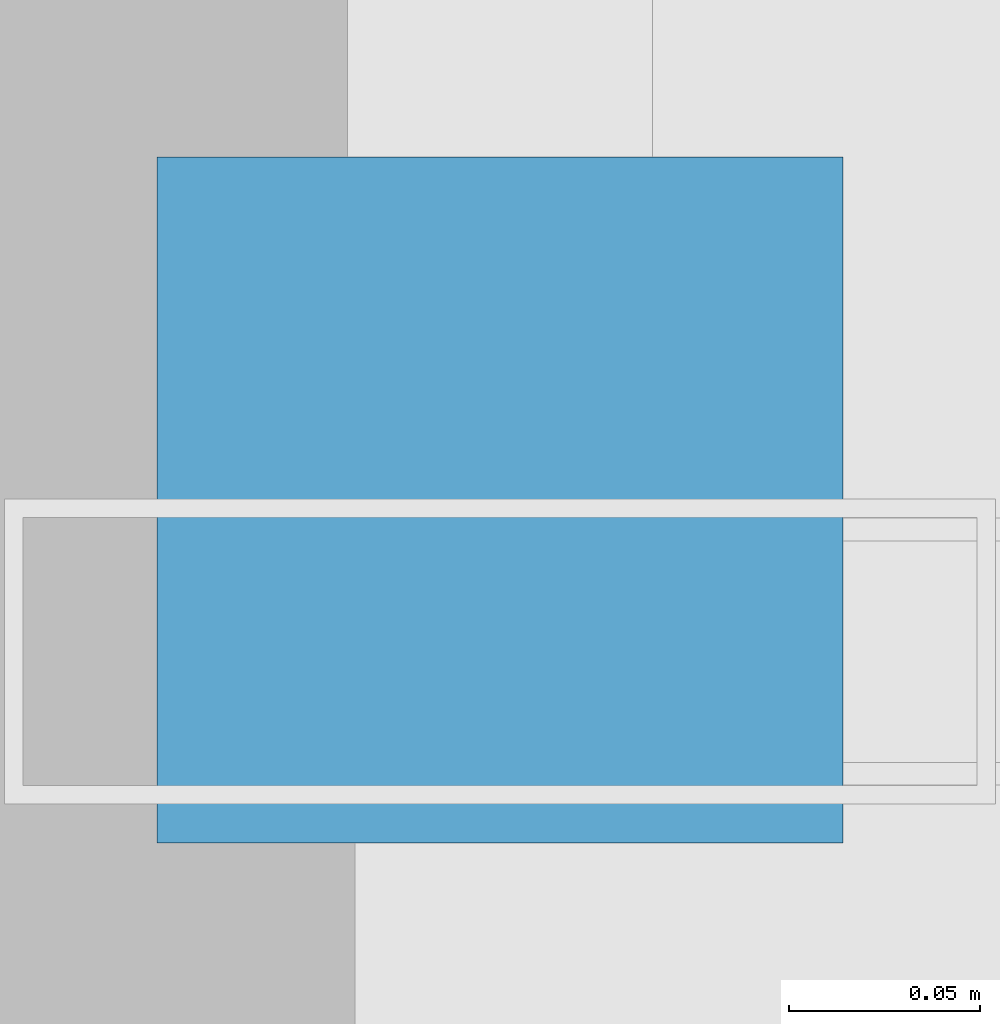
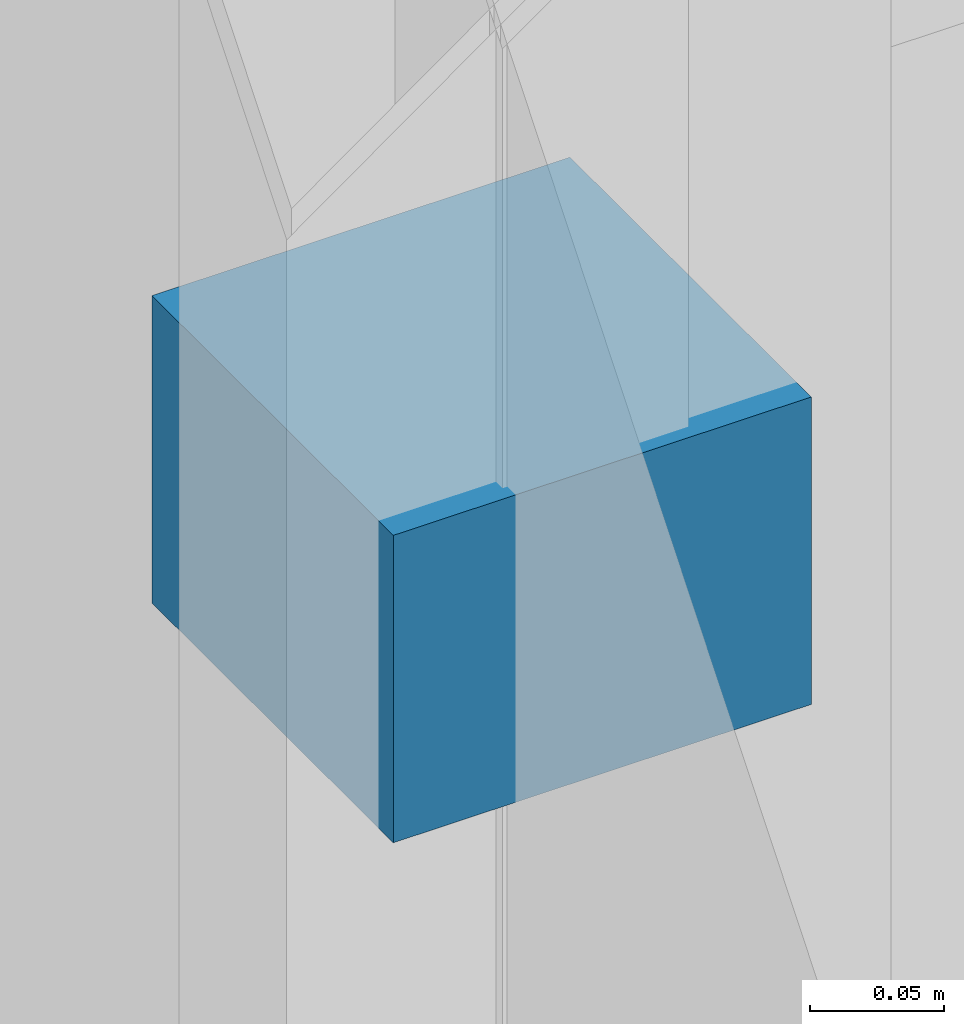
# One storey, part 81 of 96: 1 discrete accessory.
"""IFC4 building model written with IfcOpenShell, lengths in metres."""

from ifc_helpers import new_model, si_unit, direction, frame, origin, origin_2d, place, context, subcontext, project, spatial, rectangle, extrude, material, layer, layer_set, type_object, element, save


model = new_model("IFC4")

# Units and contexts
model_context = context("Model", 3, precision=1e-05, world=origin(), true_north=direction((0.0, 1.0)))
body_context = subcontext(model_context, "Body", "Model", "MODEL_VIEW")
ifc_project = project(units=[si_unit("LENGTHUNIT", "METRE"), si_unit("AREAUNIT", "SQUARE_METRE"), si_unit("VOLUMEUNIT", "CUBIC_METRE"), si_unit("PLANEANGLEUNIT", "RADIAN"), si_unit("MASSUNIT", "GRAM", prefix="KILO")], contexts=[model_context])

# Site, building, storey
site_placement = place(None, origin())
site = spatial("IfcSite", under=ifc_project, at=site_placement, CompositionType="ELEMENT")
building_placement = place(site_placement, origin())
building = spatial("IfcBuilding", under=site, at=building_placement, Name="Vaelkrest Opera House", CompositionType="ELEMENT")
storey_placement = place(building_placement, frame((0.0, 0.0, 5.39990234375)))
storey = spatial("IfcBuildingStorey", under=building, at=storey_placement, Name="L01", CompositionType="ELEMENT", Elevation=5.39990234375)

# Discrete accessory
ifc_material = material(Name="Steel A572 Gr50", Category="steel")
ifc_layer = layer(ifc_material, 0.139892578125)
ifc_layer_set = layer_set([ifc_layer], Name="Steel A572 Gr50")
discrete_accessory_type = type_object("IfcDiscreteAccessoryType", Name="BRK01", PredefinedType="BRACKET", material=ifc_layer_set)
discrete_accessory_placement = place(storey_placement, frame((-51.261962890625, 33.639892578125, 1.80029296875), z_axis=(0.0, 0.0, 1.0), x_axis=(0.0, 1.0, 0.0)))
element("IfcDiscreteAccessory", 1, at=discrete_accessory_placement, inside=storey, type_object=discrete_accessory_type, Name="Shading fin bracket 12", PredefinedType="BRACKET", context=body_context, shape_type="SweptSolid", body=[
    extrude(rectangle(XDim=0.179931640625, YDim=0.179931640625, at=origin_2d()), origin(), (0.0, 0.0, 1.0), 0.139892578125),
])

save(model, "model.ifc")
